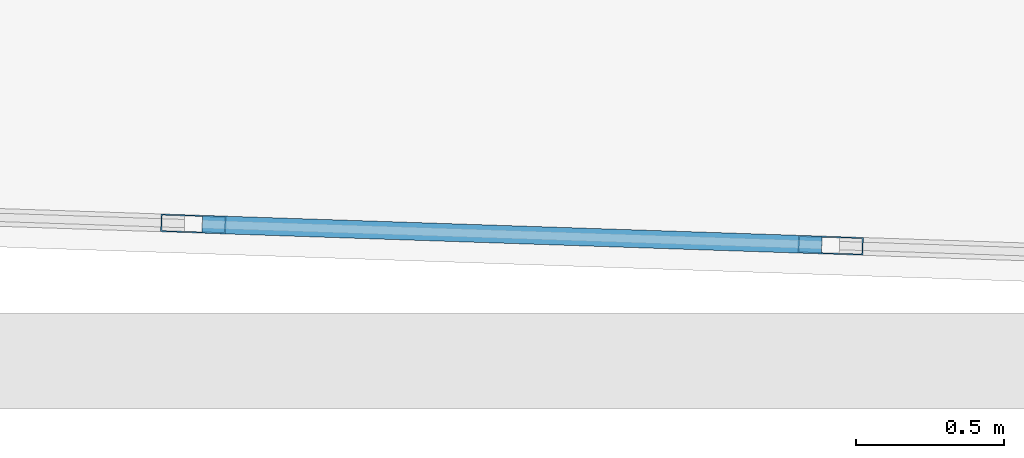
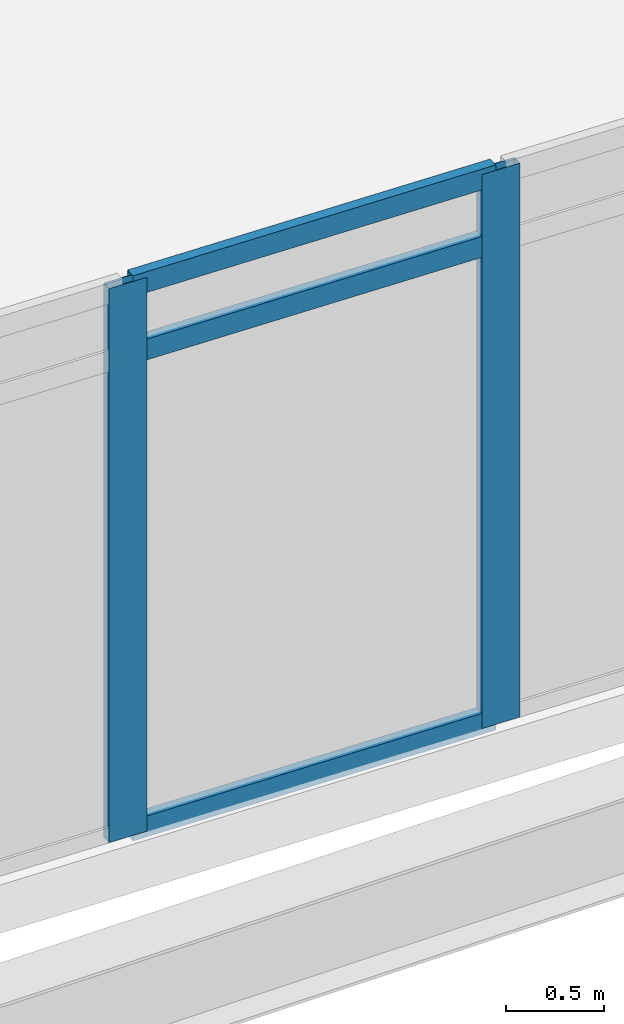
# One storey, part 7 of 38: 5 members, 1 element without a shape of its own.
"""IFC4 building model written with IfcOpenShell, lengths in metres."""

from ifc_helpers import new_model, si_unit, direction, frame, origin, origin_2d, place, context, subcontext, project, spatial, hollow_rectangle, extrude, material, material_profile, profile_set, type_object, element, aggregate, save


model = new_model("IFC4")

# Units and contexts
model_context = context("Model", 3, precision=1e-05, world=origin(), true_north=direction((0.0, 1.0)))
body_context = subcontext(model_context, "Body", "Model", "MODEL_VIEW")
ifc_project = project(units=[si_unit("LENGTHUNIT", "METRE"), si_unit("AREAUNIT", "SQUARE_METRE"), si_unit("VOLUMEUNIT", "CUBIC_METRE"), si_unit("PLANEANGLEUNIT", "RADIAN"), si_unit("MASSUNIT", "GRAM", prefix="KILO")], contexts=[model_context])

# Site, building, storey
site_placement = place(None, origin())
site = spatial("IfcSite", under=ifc_project, at=site_placement, CompositionType="ELEMENT")
building_placement = place(site_placement, origin())
building = spatial("IfcBuilding", under=site, at=building_placement, Name="Ostrander Bayou Hotel Tower", CompositionType="ELEMENT")
storey_placement = place(building_placement, frame((0.0, 0.0, 194.5)))
storey = spatial("IfcBuildingStorey", under=building, at=storey_placement, Name="L48", CompositionType="ELEMENT", Elevation=194.5)

# Curtain wall, members
ifc_material_1 = material(Name="Aluminium and clear glass", Category="aluminium")
curtain_wall_type = type_object("IfcCurtainWallType", Name="CW-BAR glazed wall", PredefinedType="NOTDEFINED", material=ifc_material_1)
curtain_wall_placement = place(storey_placement, origin())
curtain_wall = element("IfcCurtainWall", 1, at=curtain_wall_placement, inside=storey, type_object=curtain_wall_type, Name="CW-BAR L48:SB4S:T", PredefinedType="NOTDEFINED")
ifc_material_2 = material(Name="Aluminium", Category="aluminium")
ifc_material_profile_1 = material_profile(ifc_material_2, hollow_rectangle(XDim=0.06005859375, YDim=0.219970703125, WallThickness=0.00390625, at=origin_2d()))
ifc_profile_set_1 = profile_set([ifc_material_profile_1], Name="Aluminium")
member_type_1 = type_object("IfcMemberType", Name="CW-BR mullion 60 x 220 mm", PredefinedType="MULLION", material=ifc_profile_set_1)
member_1_placement = place(storey_placement, frame((1.077880859375, -29.68603515625, 0.0), z_axis=(0.0, 0.0, 1.0), x_axis=(0.03350511268, 0.999438546097, 0.0)))
member_1 = element("IfcMember", 2, at=member_1_placement, type_object=member_type_1, Name="CW-BAR mullion 7", PredefinedType="MULLION", context=body_context, shape_type="SweptSolid", body=[
    extrude(hollow_rectangle(XDim=0.06005859375, YDim=0.219970703125, WallThickness=0.00390625, at=origin_2d()), origin(), (0.0, 0.0, 1.0), 3.449951171875),
])
member_2_placement = place(storey_placement, frame((3.23388671875, -29.75830078125, 0.0), z_axis=(0.0, 0.0, 1.0), x_axis=(0.03350511268, 0.999438546097, 0.0)))
member_2 = element("IfcMember", 3, at=member_2_placement, type_object=member_type_1, Name="CW-BAR mullion 8", PredefinedType="MULLION", context=body_context, shape_type="SweptSolid", body=[
    extrude(hollow_rectangle(XDim=0.06005859375, YDim=0.219970703125, WallThickness=0.00390625, at=origin_2d()), origin(), (0.0, 0.0, 1.0), 3.449951171875),
])
ifc_material_3 = material(Name="Aluminium", Category="aluminium")
ifc_material_profile_2 = material_profile(ifc_material_3, hollow_rectangle(XDim=0.06005859375, YDim=0.1298828125, WallThickness=0.00390625, at=origin_2d()))
ifc_profile_set_2 = profile_set([ifc_material_profile_2], Name="Aluminium")
member_type_2 = type_object("IfcMemberType", Name="CW-BR transom 60 x 130 mm", PredefinedType="USERDEFINED", material=ifc_profile_set_2)
member_3_placement = place(storey_placement, frame((1.10791015625, -29.687255859375, 0.030029296875), z_axis=(0.999441672059, -0.033411736736, 0.0), x_axis=(0.033411736736, 0.999441672059, 0.0)))
member_3 = element("IfcMember", 4, at=member_3_placement, type_object=member_type_2, Name="CW-BAR transom 7.1", ObjectType="TRANSOM", PredefinedType="USERDEFINED", context=body_context, shape_type="SweptSolid", body=[
    extrude(hollow_rectangle(XDim=0.06005859375, YDim=0.1298828125, WallThickness=0.00390625, at=origin_2d()), origin(), (0.0, 0.0, 1.0), 2.09716796875),
])
member_4_placement = place(storey_placement, frame((1.10791015625, -29.687255859375, 3.0), z_axis=(0.999441672059, -0.033411736736, 0.0), x_axis=(0.033411736736, 0.999441672059, 0.0)))
member_4 = element("IfcMember", 5, at=member_4_placement, type_object=member_type_2, Name="CW-BAR transom 7.2", ObjectType="TRANSOM", PredefinedType="USERDEFINED", context=body_context, shape_type="SweptSolid", body=[
    extrude(hollow_rectangle(XDim=0.06005859375, YDim=0.1298828125, WallThickness=0.00390625, at=origin_2d()), origin(), (0.0, 0.0, 1.0), 2.09716796875),
])
member_5_placement = place(storey_placement, frame((1.10791015625, -29.687255859375, 3.419921875), z_axis=(0.999441672059, -0.033411736736, 0.0), x_axis=(0.033411736736, 0.999441672059, 0.0)))
member_5 = element("IfcMember", 6, at=member_5_placement, type_object=member_type_2, Name="CW-BAR transom 7.3", ObjectType="TRANSOM", PredefinedType="USERDEFINED", context=body_context, shape_type="SweptSolid", body=[
    extrude(hollow_rectangle(XDim=0.06005859375, YDim=0.1298828125, WallThickness=0.00390625, at=origin_2d()), origin(), (0.0, 0.0, 1.0), 2.09716796875),
])
aggregate(curtain_wall, [member_1, member_2, member_3, member_4, member_5])

save(model, "model.ifc")
